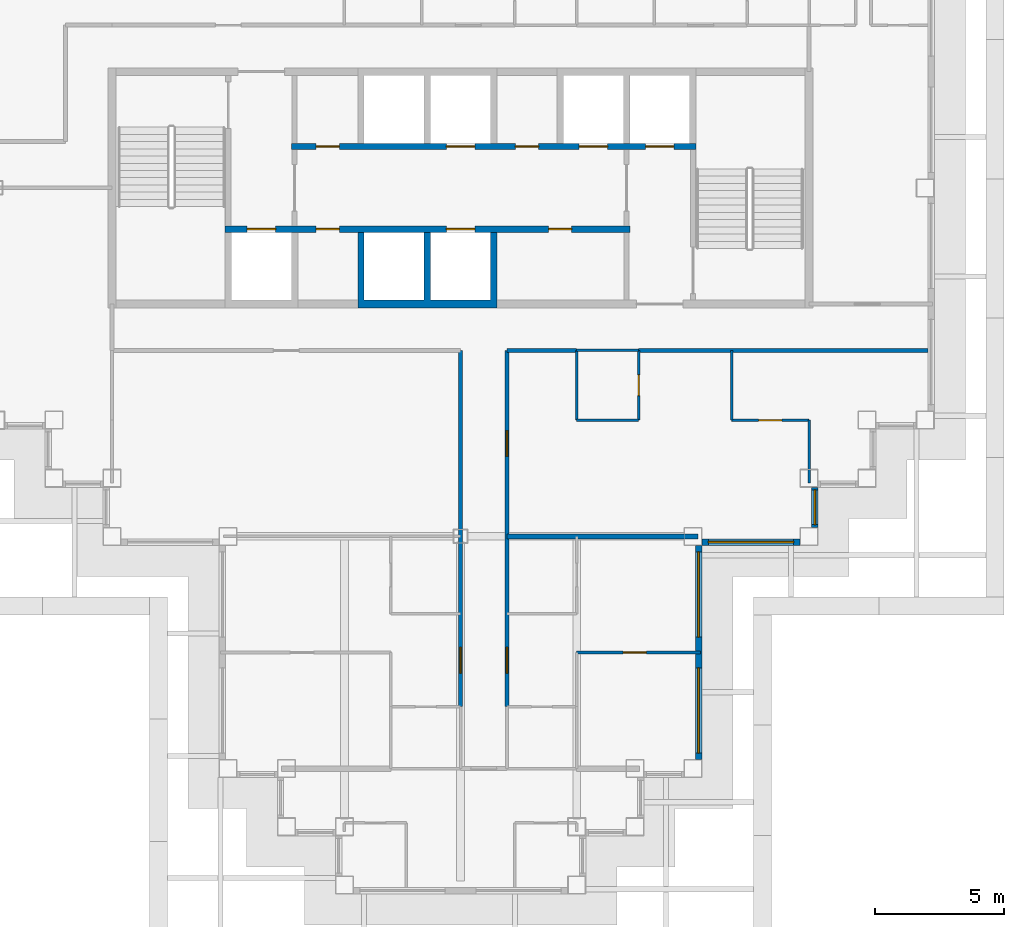
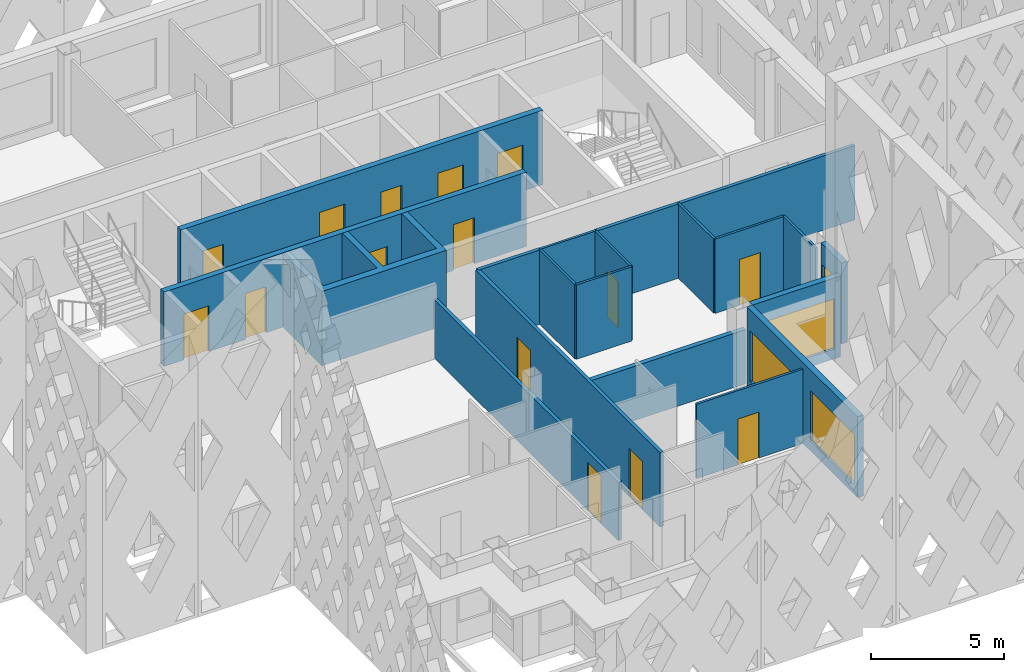
# One storey, part 4 of 17: 19 walls, 15 doors, 4 windows, 19 openings.
"""IFC4 building model written with IfcOpenShell, lengths in metres."""

from ifc_helpers import new_model, si_unit, direction, frame, frame_2d, origin, place, context, subcontext, project, spatial, polyline, rectangle, outline, extrude, material, layer, layer_set, type_object, element, fill, save


model = new_model("IFC4")

# Units and contexts
model_context = context("Model", 3, precision=1e-05, world=origin(), true_north=direction((0.0, 1.0)))
body_context = subcontext(model_context, "Body", "Model", "MODEL_VIEW")
ifc_project = project(units=[si_unit("LENGTHUNIT", "METRE"), si_unit("AREAUNIT", "SQUARE_METRE"), si_unit("VOLUMEUNIT", "CUBIC_METRE"), si_unit("PLANEANGLEUNIT", "RADIAN"), si_unit("MASSUNIT", "GRAM", prefix="KILO")], contexts=[model_context])

# Site, building, storey
site_placement = place(None, origin())
site = spatial("IfcSite", under=ifc_project, at=site_placement, CompositionType="ELEMENT")
building_placement = place(site_placement, origin())
building = spatial("IfcBuilding", under=site, at=building_placement, Name="Caravel Reach Hotel and Residences", CompositionType="ELEMENT")
storey_placement = place(building_placement, frame((0.0, 0.0, 192.39990234375)))
storey = spatial("IfcBuildingStorey", under=building, at=storey_placement, Name="L48", CompositionType="ELEMENT", Elevation=192.39990234375)

# Walls
ifc_material_1 = material(Name="Gypsum board on steel stud", Category="steel")
ifc_layer_1 = layer(ifc_material_1, 0.10009765625)
ifc_layer_set_1 = layer_set([ifc_layer_1], Name="Bathroom pod wall 100 mm")
wall_type_1 = type_object("IfcWallType", Name="Bathroom pod wall 100 mm", PredefinedType="PARTITIONING", material=ifc_layer_set_1)
for number, where, z_axis, x_axis, name in (
    (1, (36.0, 18.0, 0.0), (0.0, 0.0, 1.0), (1.0, 0.0, 0.0), "L48 wall w077"),
    (2, (36.0, 20.699951171875, 0.0), (0.0, 0.0, 1.0), (1.0, 0.0, 0.0), "L48 wall w079"),
):
    element("IfcWall", number, at=place(storey_placement, frame(where, z_axis=z_axis, x_axis=x_axis)), inside=storey, type_object=wall_type_1, Name=name, PredefinedType="PARTITIONING", context=body_context, shape_type="SweptSolid", body=[
        extrude(rectangle(XDim=2.39990234375, YDim=0.10009765625, at=frame_2d((1.199951171875, 0.0))), origin(), (0.0, 0.0, 1.0), 3.400146484375),
    ])
wall_1_placement = place(storey_placement, frame((36.0, 18.0, 0.0), z_axis=(0.0, 0.0, 1.0), x_axis=(0.0, 1.0, 0.0)))
element("IfcWall", 3, at=wall_1_placement, inside=storey, type_object=wall_type_1, Name="L48 wall w101", PredefinedType="PARTITIONING", context=body_context, shape_type="SweptSolid", body=[
    extrude(rectangle(XDim=2.698974609375, YDim=0.10009765625, at=frame_2d((1.349609375, 0.0))), origin(), (0.0, 0.0, 1.0), 3.400146484375),
])

# Wall, opening, door
wall_2_placement = place(storey_placement, frame((38.39990234375, 18.0, 0.0), z_axis=(0.0, 0.0, 1.0), x_axis=(0.0, 1.0, 0.0)))
wall_2 = element("IfcWall", 4, at=wall_2_placement, inside=storey, type_object=wall_type_1, Name="L48 wall w102", PredefinedType="PARTITIONING", context=body_context, shape_type="SweptSolid", body=[
    extrude(rectangle(XDim=2.699951171875, YDim=0.10009765625, at=frame_2d((1.35009765625, 0.0))), origin(), (0.0, 0.0, 1.0), 3.400146484375),
])
opening_1_placement = place(wall_2_placement, frame((0.949951171875, 0.0, 0.0)))
opening_1 = element("IfcOpeningElement", 5, at=opening_1_placement, cuts=wall_2, Name="Opening D48-032", PredefinedType="OPENING", context=body_context, shape_type="SweptSolid", body=[
    extrude(rectangle(XDim=0.800048828125, YDim=2.10009765625, at=frame_2d((0.39990234375, 1.050048828125))), frame((0.0, 0.06005859375, 0.0), z_axis=(0.0, -1.0, 0.0), x_axis=(1.0, 0.0, 0.0)), (0.0, 0.0, 1.0), 0.1201171875),
])
ifc_material_2 = material(Name="Timber and steel door leaf", Category="steel")
door_type_1 = type_object("IfcDoorType", Name="Bathroom door 800 x 2100", OperationType="SINGLE_SWING_LEFT", PredefinedType="DOOR", material=ifc_material_2)
door_1_placement = place(opening_1_placement, origin())
door_1 = element("IfcDoor", 6, at=door_1_placement, inside=storey, type_object=door_type_1, Name="door D48-032", OperationType="SINGLE_SWING_RIGHT", OverallHeight=2.10009765625, OverallWidth=0.800048828125, PredefinedType="DOOR", context=body_context, shape_type="SweptSolid", body=[
    extrude(rectangle(XDim=0.800048828125, YDim=2.10009765625, at=frame_2d((0.39990234375, 1.050048828125))), frame((0.0, 0.02490234375, 0.0), z_axis=(0.0, -1.0, 0.0), x_axis=(1.0, 0.0, 0.0)), (0.0, 0.0, 1.0), 0.050048828125),
])
fill(opening_1, door_1)

# Walls
ifc_material_3 = material(Name="Gypsum board on steel stud, fire-rated", Category="steel")
ifc_layer_2 = layer(ifc_material_3, 0.14990234375)
ifc_layer_set_2 = layer_set([ifc_layer_2], Name="Corridor wall 150 mm EI 60")
wall_type_2 = type_object("IfcWallType", Name="Corridor wall 150 mm EI 60", PredefinedType="PARTITIONING", material=ifc_layer_set_2)
wall_3_placement = place(storey_placement, frame((33.301025390625, 20.699951171875, 0.0), z_axis=(0.0, 0.0, 1.0), x_axis=(1.0, 0.0, 0.0)))
element("IfcWall", 7, at=wall_3_placement, inside=storey, type_object=wall_type_2, Name="L48 wall w001", PredefinedType="PARTITIONING", context=body_context, shape_type="SweptSolid", body=[
    extrude(rectangle(XDim=2.697998046875, YDim=0.14990234375, at=frame_2d((1.34912109375, 0.0))), origin(), (0.0, 0.0, 1.0), 3.400146484375),
])
wall_4_placement = place(storey_placement, frame((38.39990234375, 20.699951171875, 0.0), z_axis=(0.0, 0.0, 1.0), x_axis=(1.0, 0.0, 0.0)))
element("IfcWall", 8, at=wall_4_placement, inside=storey, type_object=wall_type_2, Name="L48 wall w002", PredefinedType="PARTITIONING", context=body_context, shape_type="SweptSolid", body=[
    extrude(rectangle(XDim=11.2001953125, YDim=0.14990234375, at=frame_2d((5.60009765625, 0.0))), origin(), (0.0, 0.0, 1.0), 3.400146484375),
])

# Wall, opening, door
wall_5_placement = place(storey_placement, frame((31.5, 6.89990234375, 0.0), z_axis=(0.0, 0.0, 1.0), x_axis=(0.0, 1.0, 0.0)))
wall_5 = element("IfcWall", 9, at=wall_5_placement, inside=storey, type_object=wall_type_2, Name="L48 wall w020", PredefinedType="PARTITIONING", context=body_context, shape_type="SweptSolid", body=[
    extrude(rectangle(XDim=13.800048828125, YDim=0.14990234375, at=frame_2d((6.89990234375, 0.0))), origin(), (0.0, 0.0, 1.0), 2.68017578125),
])
opening_2_placement = place(wall_5_placement, frame((1.300048828125, 0.0, 0.0)))
opening_2 = element("IfcOpeningElement", 10, at=opening_2_placement, cuts=wall_5, Name="Opening D48-034", PredefinedType="OPENING", context=body_context, shape_type="SweptSolid", body=[
    extrude(rectangle(XDim=1.0, YDim=2.199951171875, at=frame_2d((0.5, 1.10009765625))), frame((0.0, 0.0849609375, 0.0), z_axis=(0.0, -1.0, 0.0), x_axis=(1.0, 0.0, 0.0)), (0.0, 0.0, 1.0), 0.169921875),
])
ifc_material_4 = material(Name="Steel fire door leaf", Category="steel")
door_type_2 = type_object("IfcDoorType", Name="Flat entrance door 1000 x 2200 EI 60", OperationType="SINGLE_SWING_LEFT", PredefinedType="DOOR", material=ifc_material_4)
door_2_placement = place(opening_2_placement, origin())
door_2 = element("IfcDoor", 11, at=door_2_placement, inside=storey, type_object=door_type_2, Name="door D48-034", OperationType="SINGLE_SWING_LEFT", OverallHeight=2.199951171875, OverallWidth=1.0, PredefinedType="DOOR", context=body_context, shape_type="SweptSolid", body=[
    extrude(rectangle(XDim=1.0, YDim=2.199951171875, at=frame_2d((0.5, 1.10009765625))), frame((0.0, 0.02490234375, 0.0), z_axis=(0.0, -1.0, 0.0), x_axis=(1.0, 0.0, 0.0)), (0.0, 0.0, 1.0), 0.050048828125),
])
fill(opening_2, door_2)

# Wall, openings, doors
wall_6_placement = place(storey_placement, frame((33.300048828125, 6.89990234375, 0.0), z_axis=(0.0, 0.0, 1.0), x_axis=(0.0, 1.0, 0.0)))
wall_6 = element("IfcWall", 12, at=wall_6_placement, inside=storey, type_object=wall_type_2, Name="L48 wall w023", PredefinedType="PARTITIONING", context=body_context, shape_type="SweptSolid", body=[
    extrude(rectangle(XDim=13.799072265625, YDim=0.14990234375, at=frame_2d((6.8994140625, 0.0))), origin(), (0.0, 0.0, 1.0), 3.400146484375),
])
opening_3_placement = place(wall_6_placement, frame((9.69921875, 0.0, 0.0)))
opening_3 = element("IfcOpeningElement", 13, at=opening_3_placement, cuts=wall_6, Name="Opening D48-031", PredefinedType="OPENING", context=body_context, shape_type="SweptSolid", body=[
    extrude(rectangle(XDim=1.0, YDim=2.199951171875, at=frame_2d((0.5, 1.10009765625))), frame((0.0, 0.0849609375, 0.0), z_axis=(0.0, -1.0, 0.0), x_axis=(1.0, 0.0, 0.0)), (0.0, 0.0, 1.0), 0.169921875),
])
opening_4_placement = place(wall_6_placement, frame((1.300048828125, 0.0, 0.0)))
opening_4 = element("IfcOpeningElement", 14, at=opening_4_placement, cuts=wall_6, Name="Opening D48-038", PredefinedType="OPENING", context=body_context, shape_type="SweptSolid", body=[
    extrude(rectangle(XDim=1.0, YDim=2.199951171875, at=frame_2d((0.5, 1.10009765625))), frame((0.0, 0.0849609375, 0.0), z_axis=(0.0, -1.0, 0.0), x_axis=(1.0, 0.0, 0.0)), (0.0, 0.0, 1.0), 0.169921875),
])
door_3_placement = place(opening_3_placement, origin())
door_3 = element("IfcDoor", 15, at=door_3_placement, inside=storey, type_object=door_type_2, Name="door D48-031", OperationType="SINGLE_SWING_RIGHT", OverallHeight=2.199951171875, OverallWidth=1.0, PredefinedType="DOOR", context=body_context, shape_type="SweptSolid", body=[
    extrude(rectangle(XDim=1.0, YDim=2.199951171875, at=frame_2d((0.5, 1.10009765625))), frame((0.0, 0.02490234375, 0.0), z_axis=(0.0, -1.0, 0.0), x_axis=(1.0, 0.0, 0.0)), (0.0, 0.0, 1.0), 0.050048828125),
])
fill(opening_3, door_3)
door_4_placement = place(opening_4_placement, origin())
door_4 = element("IfcDoor", 16, at=door_4_placement, inside=storey, type_object=door_type_2, Name="door D48-038", OperationType="SINGLE_SWING_RIGHT", OverallHeight=2.199951171875, OverallWidth=1.0, PredefinedType="DOOR", context=body_context, shape_type="SweptSolid", body=[
    extrude(rectangle(XDim=1.0, YDim=2.199951171875, at=frame_2d((0.5, 1.10009765625))), frame((0.0, 0.02490234375, 0.0), z_axis=(0.0, -1.0, 0.0), x_axis=(1.0, 0.0, 0.0)), (0.0, 0.0, 1.0), 0.050048828125),
])
fill(opening_4, door_4)

# Wall, opening, window
ifc_material_5 = material(Name="Insulated rainscreen wall, aluminium cladding", Category="aluminium")
ifc_layer_3 = layer(ifc_material_5, 0.25)
ifc_layer_set_3 = layer_set([ifc_layer_3], Name="EW1 Tower rainscreen wall")
wall_type_3 = type_object("IfcWallType", Name="EW1 Tower rainscreen wall", PredefinedType="SOLIDWALL", material=ifc_layer_set_3)
wall_7_placement = place(storey_placement, frame((40.85009765625, 13.27490234375, 0.0), z_axis=(0.0, 0.0, 1.0), x_axis=(1.0, 0.0, 0.0)))
wall_7 = element("IfcWall", 17, at=wall_7_placement, inside=storey, type_object=wall_type_3, Name="External wall L48 S1.1", PredefinedType="SOLIDWALL", context=body_context, shape_type="SweptSolid", body=[
    extrude(rectangle(XDim=3.7998046875, YDim=0.25, at=frame_2d((1.89990234375, 0.0))), origin(), (0.0, 0.0, 1.0), 3.7001953125),
])
opening_5_placement = place(wall_7_placement, frame((0.25, 0.0, 0.449951171875)))
opening_5 = element("IfcOpeningElement", 18, at=opening_5_placement, cuts=wall_7, Name="Opening WN15", PredefinedType="OPENING", context=body_context, shape_type="SweptSolid", body=[
    extrude(rectangle(XDim=3.300048828125, YDim=2.300048828125, at=frame_2d((1.64990234375, 1.14990234375))), frame((0.0, 0.135009765625, 0.0), z_axis=(0.0, -1.0, 0.0), x_axis=(1.0, 0.0, 0.0)), (0.0, 0.0, 1.0), 0.27001953125),
])
ifc_material_6 = material(Name="Dark low-e glazing in black aluminium frame", Category="aluminium")
window_type_1 = type_object("IfcWindowType", Name="Residence living window 3300 x 2300", PartitioningType="SINGLE_PANEL", PredefinedType="WINDOW", material=ifc_material_6)
window_1_placement = place(opening_5_placement, origin())
window_1 = element("IfcWindow", 19, at=window_1_placement, inside=storey, type_object=window_type_1, Name="Window L48 S1.1.1", OverallHeight=2.300048828125, OverallWidth=3.300048828125, PartitioningType="SINGLE_PANEL", PredefinedType="WINDOW", context=body_context, shape_type="SweptSolid", body=[
    extrude(rectangle(XDim=3.300048828125, YDim=2.300048828125, at=frame_2d((1.64990234375, 1.14990234375))), frame((0.0, 0.030029296875, 0.0), z_axis=(0.0, -1.0, 0.0), x_axis=(1.0, 0.0, 0.0)), (0.0, 0.0, 1.0), 0.06005859375),
])
fill(opening_5, window_1)

wall_8_placement = place(storey_placement, frame((45.22509765625, 13.85009765625, 0.0), z_axis=(0.0, 0.0, 1.0), x_axis=(0.0, 1.0, 0.0)))
wall_8 = element("IfcWall", 20, at=wall_8_placement, inside=storey, type_object=wall_type_3, Name="External wall L48 E2.1", PredefinedType="SOLIDWALL", context=body_context, shape_type="SweptSolid", body=[
    extrude(rectangle(XDim=1.5498046875, YDim=0.25, at=frame_2d((0.77490234375, 0.0))), origin(), (0.0, 0.0, 1.0), 3.7001953125),
])
opening_6_placement = place(wall_8_placement, frame((0.10009765625, 0.0, 0.89990234375)))
opening_6 = element("IfcOpeningElement", 21, at=opening_6_placement, cuts=wall_8, Name="Opening WN21", PredefinedType="OPENING", context=body_context, shape_type="SweptSolid", body=[
    extrude(rectangle(XDim=1.35009765625, YDim=1.85009765625, at=frame_2d((0.675048828125, 0.925048828125))), frame((0.0, 0.135009765625, 0.0), z_axis=(0.0, -1.0, 0.0), x_axis=(1.0, 0.0, 0.0)), (0.0, 0.0, 1.0), 0.27001953125),
])
ifc_material_7 = material(Name="Dark low-e glazing in black aluminium frame", Category="aluminium")
window_type_2 = type_object("IfcWindowType", Name="Residence bedroom window 1350 x 1850", PartitioningType="SINGLE_PANEL", PredefinedType="WINDOW", material=ifc_material_7)
window_2_placement = place(opening_6_placement, origin())
window_2 = element("IfcWindow", 22, at=window_2_placement, inside=storey, type_object=window_type_2, Name="Window L48 E2.1.1", OverallHeight=1.85009765625, OverallWidth=1.35009765625, PartitioningType="SINGLE_PANEL", PredefinedType="WINDOW", context=body_context, shape_type="SweptSolid", body=[
    extrude(rectangle(XDim=1.35009765625, YDim=1.85009765625, at=frame_2d((0.675048828125, 0.925048828125))), frame((0.0, 0.030029296875, 0.0), z_axis=(0.0, -1.0, 0.0), x_axis=(1.0, 0.0, 0.0)), (0.0, 0.0, 1.0), 0.06005859375),
])
fill(opening_6, window_2)

# Wall, openings, windows
wall_9_placement = place(storey_placement, frame((40.72509765625, 4.85009765625, 0.0), z_axis=(0.0, 0.0, 1.0), x_axis=(0.0, 1.0, 0.0)))
wall_9 = element("IfcWall", 23, at=wall_9_placement, inside=storey, type_object=wall_type_3, Name="External wall L48 E40.1", PredefinedType="SOLIDWALL", context=body_context, shape_type="SweptSolid", body=[
    extrude(rectangle(XDim=8.2998046875, YDim=0.25, at=frame_2d((4.14990234375, 0.0))), origin(), (0.0, 0.0, 1.0), 3.7001953125),
])
opening_7_placement = place(wall_9_placement, frame((0.25, 0.0, 0.449951171875)))
opening_7 = element("IfcOpeningElement", 24, at=opening_7_placement, cuts=wall_9, Name="Opening WN15", PredefinedType="OPENING", context=body_context, shape_type="SweptSolid", body=[
    extrude(rectangle(XDim=3.300048828125, YDim=2.300048828125, at=frame_2d((1.64990234375, 1.14990234375))), frame((0.0, 0.135009765625, 0.0), z_axis=(0.0, -1.0, 0.0), x_axis=(1.0, 0.0, 0.0)), (0.0, 0.0, 1.0), 0.27001953125),
])
opening_8_placement = place(wall_9_placement, frame((4.75, 0.0, 0.449951171875)))
opening_8 = element("IfcOpeningElement", 25, at=opening_8_placement, cuts=wall_9, Name="Opening WN15", PredefinedType="OPENING", context=body_context, shape_type="SweptSolid", body=[
    extrude(rectangle(XDim=3.300048828125, YDim=2.300048828125, at=frame_2d((1.64990234375, 1.14990234375))), frame((0.0, 0.135009765625, 0.0), z_axis=(0.0, -1.0, 0.0), x_axis=(1.0, 0.0, 0.0)), (0.0, 0.0, 1.0), 0.27001953125),
])
window_3_placement = place(opening_7_placement, origin())
window_3 = element("IfcWindow", 26, at=window_3_placement, inside=storey, type_object=window_type_1, Name="Window L48 E40.1.1", OverallHeight=2.300048828125, OverallWidth=3.300048828125, PartitioningType="SINGLE_PANEL", PredefinedType="WINDOW", context=body_context, shape_type="SweptSolid", body=[
    extrude(rectangle(XDim=3.300048828125, YDim=2.300048828125, at=frame_2d((1.64990234375, 1.14990234375))), frame((0.0, 0.030029296875, 0.0), z_axis=(0.0, -1.0, 0.0), x_axis=(1.0, 0.0, 0.0)), (0.0, 0.0, 1.0), 0.06005859375),
])
fill(opening_7, window_3)
window_4_placement = place(opening_8_placement, origin())
window_4 = element("IfcWindow", 27, at=window_4_placement, inside=storey, type_object=window_type_1, Name="Window L48 E40.1.2", OverallHeight=2.300048828125, OverallWidth=3.300048828125, PartitioningType="SINGLE_PANEL", PredefinedType="WINDOW", context=body_context, shape_type="SweptSolid", body=[
    extrude(rectangle(XDim=3.300048828125, YDim=2.300048828125, at=frame_2d((1.64990234375, 1.14990234375))), frame((0.0, 0.030029296875, 0.0), z_axis=(0.0, -1.0, 0.0), x_axis=(1.0, 0.0, 0.0)), (0.0, 0.0, 1.0), 0.06005859375),
])
fill(opening_8, window_4)

# Wall, opening, door
ifc_material_8 = material(Name="Gypsum board on steel stud", Category="steel")
ifc_layer_4 = layer(ifc_material_8, 0.10009765625)
ifc_layer_set_4 = layer_set([ifc_layer_4], Name="Partition 100 mm")
wall_type_4 = type_object("IfcWallType", Name="Partition 100 mm", PredefinedType="PARTITIONING", material=ifc_layer_set_4)
wall_10_placement = place(storey_placement, frame((42.0, 18.0, 0.0), z_axis=(0.0, 0.0, 1.0), x_axis=(1.0, 0.0, 0.0)))
wall_10 = element("IfcWall", 28, at=wall_10_placement, inside=storey, type_object=wall_type_4, Name="L48 wall w032", PredefinedType="PARTITIONING", context=body_context, shape_type="SweptSolid", body=[
    extrude(rectangle(XDim=3.0, YDim=0.10009765625, at=frame_2d((1.5, 0.0))), origin(), (0.0, 0.0, 1.0), 3.400146484375),
])
opening_9_placement = place(wall_10_placement, frame((1.050048828125, 0.0, 0.0)))
opening_9 = element("IfcOpeningElement", 29, at=opening_9_placement, cuts=wall_10, Name="Opening D48-033", PredefinedType="OPENING", context=body_context, shape_type="SweptSolid", body=[
    extrude(rectangle(XDim=0.89990234375, YDim=2.10009765625, at=frame_2d((0.449951171875, 1.050048828125))), frame((0.0, 0.06005859375, 0.0), z_axis=(0.0, -1.0, 0.0), x_axis=(1.0, 0.0, 0.0)), (0.0, 0.0, 1.0), 0.1201171875),
])
ifc_material_9 = material(Name="Timber and steel door leaf", Category="steel")
door_type_3 = type_object("IfcDoorType", Name="Door 900 x 2100 timber", OperationType="SINGLE_SWING_LEFT", PredefinedType="DOOR", material=ifc_material_9)
door_5_placement = place(opening_9_placement, origin())
door_5 = element("IfcDoor", 30, at=door_5_placement, inside=storey, type_object=door_type_3, Name="door D48-033", OperationType="SINGLE_SWING_LEFT", OverallHeight=2.10009765625, OverallWidth=0.89990234375, PredefinedType="DOOR", context=body_context, shape_type="SweptSolid", body=[
    extrude(rectangle(XDim=0.89990234375, YDim=2.10009765625, at=frame_2d((0.449951171875, 1.050048828125))), frame((0.0, 0.02490234375, 0.0), z_axis=(0.0, -1.0, 0.0), x_axis=(1.0, 0.0, 0.0)), (0.0, 0.0, 1.0), 0.050048828125),
])
fill(opening_9, door_5)

wall_11_placement = place(storey_placement, frame((36.0, 9.0, 0.0), z_axis=(0.0, 0.0, 1.0), x_axis=(1.0, 0.0, 0.0)))
wall_11 = element("IfcWall", 31, at=wall_11_placement, inside=storey, type_object=wall_type_4, Name="L48 wall w045", PredefinedType="PARTITIONING", context=body_context, shape_type="SweptSolid", body=[
    extrude(rectangle(XDim=4.7900390625, YDim=0.10009765625, at=frame_2d((2.39501953125, 0.0))), origin(), (0.0, 0.0, 1.0), 3.400146484375),
])
opening_10_placement = place(wall_11_placement, frame((1.800048828125, 0.0, 0.0)))
opening_10 = element("IfcOpeningElement", 32, at=opening_10_placement, cuts=wall_11, Name="Opening D48-041", PredefinedType="OPENING", context=body_context, shape_type="SweptSolid", body=[
    extrude(rectangle(XDim=0.89990234375, YDim=2.10009765625, at=frame_2d((0.449951171875, 1.050048828125))), frame((0.0, 0.06005859375, 0.0), z_axis=(0.0, -1.0, 0.0), x_axis=(1.0, 0.0, 0.0)), (0.0, 0.0, 1.0), 0.1201171875),
])
door_6_placement = place(opening_10_placement, origin())
door_6 = element("IfcDoor", 33, at=door_6_placement, inside=storey, type_object=door_type_3, Name="door D48-041", OperationType="SINGLE_SWING_LEFT", OverallHeight=2.10009765625, OverallWidth=0.89990234375, PredefinedType="DOOR", context=body_context, shape_type="SweptSolid", body=[
    extrude(rectangle(XDim=0.89990234375, YDim=2.10009765625, at=frame_2d((0.449951171875, 1.050048828125))), frame((0.0, 0.02490234375, 0.0), z_axis=(0.0, -1.0, 0.0), x_axis=(1.0, 0.0, 0.0)), (0.0, 0.0, 1.0), 0.050048828125),
])
fill(opening_10, door_6)

# Walls
wall_12_placement = place(storey_placement, frame((42.0, 18.0, 0.0), z_axis=(0.0, 0.0, 1.0), x_axis=(0.0, 1.0, 0.0)))
element("IfcWall", 34, at=wall_12_placement, inside=storey, type_object=wall_type_4, Name="L48 wall w066", PredefinedType="PARTITIONING", context=body_context, shape_type="SweptSolid", body=[
    extrude(rectangle(XDim=2.699951171875, YDim=0.10009765625, at=frame_2d((1.35009765625, 0.0))), origin(), (0.0, 0.0, 1.0), 3.400146484375),
])
wall_13_placement = place(storey_placement, frame((45.0, 15.56005859375, 0.0), z_axis=(0.0, 0.0, 1.0), x_axis=(0.0, 1.0, 0.0)))
element("IfcWall", 35, at=wall_13_placement, inside=storey, type_object=wall_type_4, Name="L48 wall w067", PredefinedType="PARTITIONING", context=body_context, shape_type="SweptSolid", body=[
    extrude(rectangle(XDim=2.43994140625, YDim=0.10009765625, at=frame_2d((1.219970703125, 0.0))), origin(), (0.0, 0.0, 1.0), 3.400146484375),
])
ifc_material_10 = material(Name="Autoclaved aerated block wall")
ifc_layer_5 = layer(ifc_material_10, 0.199951171875)
ifc_layer_set_5 = layer_set([ifc_layer_5], Name="Party wall 200 mm EI 60")
wall_type_5 = type_object("IfcWallType", Name="Party wall 200 mm EI 60", PredefinedType="PARTITIONING", material=ifc_layer_set_5)
wall_14_placement = place(storey_placement, frame((33.301025390625, 13.5, 0.0), z_axis=(0.0, 0.0, 1.0), x_axis=(1.0, 0.0, 0.0)))
element("IfcWall", 36, at=wall_14_placement, inside=storey, type_object=wall_type_5, Name="L48 wall w071", PredefinedType="PARTITIONING", context=body_context, shape_type="SweptSolid", body=[
    extrude(rectangle(XDim=7.388916015625, YDim=0.199951171875, at=frame_2d((3.6943359375, 0.0))), origin(), (0.0, 0.0, 1.0), 2.47998046875),
])
ifc_material_11 = material(Name="Concrete C60", Category="concrete")
ifc_layer_6 = layer(ifc_material_11, 0.25)
ifc_layer_set_6 = layer_set([ifc_layer_6], Name="Shaft wall 250 mm EI 120")
wall_type_6 = type_object("IfcWallType", Name="Shaft wall 250 mm EI 120", PredefinedType="SHEAR", material=ifc_layer_set_6)
wall_15_placement = place(storey_placement, origin())
element("IfcWall", 37, at=wall_15_placement, inside=storey, type_object=wall_type_6, Name="L48 lift shaft wall S2", PredefinedType="SHEAR", context=body_context, shape_type="SweptSolid", body=[
    extrude(outline(polyline([(27.517822265625, 22.35009765625), (32.91064453125, 22.35009765625), (32.91064453125, 25.27490234375), (32.66064453125, 25.27490234375), (32.66064453125, 22.64990234375), (30.33935546875, 22.64990234375), (30.33935546875, 25.27490234375), (30.08935546875, 25.27490234375), (30.08935546875, 22.64990234375), (27.767822265625, 22.64990234375), (27.767822265625, 25.27490234375), (27.517822265625, 25.27490234375), (27.517822265625, 22.35009765625)])), origin(), (0.0, 0.0, 1.0), 3.400146484375),
])

# Wall, openings, doors
wall_16_placement = place(storey_placement, frame((22.375, 25.39990234375, 0.0), z_axis=(0.0, 0.0, 1.0), x_axis=(1.0, 0.0, 0.0)))
wall_16 = element("IfcWall", 38, at=wall_16_placement, inside=storey, type_object=wall_type_6, Name="L48 lobby wall S1", PredefinedType="SHEAR", context=body_context, shape_type="SweptSolid", body=[
    extrude(rectangle(XDim=15.678466796875, YDim=0.25, at=frame_2d((7.83935546875, 0.0))), origin(), (0.0, 0.0, 1.0), 3.400146484375),
])
opening_11_placement = place(wall_16_placement, frame((8.574951171875, 0.0, 0.0)))
opening_11 = element("IfcOpeningElement", 39, at=opening_11_placement, cuts=wall_16, Name="Opening D48-001", PredefinedType="OPENING", context=body_context, shape_type="SweptSolid", body=[
    extrude(rectangle(XDim=1.10009765625, YDim=2.10009765625, at=frame_2d((0.550048828125, 1.050048828125))), frame((0.0, 0.135009765625, 0.0), z_axis=(0.0, -1.0, 0.0), x_axis=(1.0, 0.0, 0.0)), (0.0, 0.0, 1.0), 0.27001953125),
])
opening_12_placement = place(wall_16_placement, frame((0.860595703125, 0.0, 0.0)))
opening_12 = element("IfcOpeningElement", 40, at=opening_12_placement, cuts=wall_16, Name="Opening D48-004", PredefinedType="OPENING", context=body_context, shape_type="SweptSolid", body=[
    extrude(rectangle(XDim=1.10009765625, YDim=2.10009765625, at=frame_2d((0.550048828125, 1.050048828125))), frame((0.0, 0.135009765625, 0.0), z_axis=(0.0, -1.0, 0.0), x_axis=(1.0, 0.0, 0.0)), (0.0, 0.0, 1.0), 0.27001953125),
])
opening_13_placement = place(wall_16_placement, frame((3.531982421875, 0.0, 0.0)))
opening_13 = element("IfcOpeningElement", 41, at=opening_13_placement, cuts=wall_16, Name="Opening D48-006", PredefinedType="OPENING", context=body_context, shape_type="SweptSolid", body=[
    extrude(rectangle(XDim=0.89990234375, YDim=2.10009765625, at=frame_2d((0.449951171875, 1.050048828125))), frame((0.0, 0.135009765625, 0.0), z_axis=(0.0, -1.0, 0.0), x_axis=(1.0, 0.0, 0.0)), (0.0, 0.0, 1.0), 0.27001953125),
])
opening_14_placement = place(wall_16_placement, frame((12.531982421875, 0.0, 0.0)))
opening_14 = element("IfcOpeningElement", 42, at=opening_14_placement, cuts=wall_16, Name="Opening D48-007", PredefinedType="OPENING", context=body_context, shape_type="SweptSolid", body=[
    extrude(rectangle(XDim=0.89990234375, YDim=2.10009765625, at=frame_2d((0.449951171875, 1.050048828125))), frame((0.0, 0.135009765625, 0.0), z_axis=(0.0, -1.0, 0.0), x_axis=(1.0, 0.0, 0.0)), (0.0, 0.0, 1.0), 0.27001953125),
])
ifc_material_12 = material(Name="Stainless steel landing door", Category="steel")
door_type_4 = type_object("IfcDoorType", Name="Landing door LD 1100 x 2100 sliding", OperationType="DOUBLE_DOOR_SLIDING", PredefinedType="DOOR", material=ifc_material_12)
door_7_placement = place(opening_11_placement, origin())
door_7 = element("IfcDoor", 43, at=door_7_placement, inside=storey, type_object=door_type_4, Name="MP1 landing door", OperationType="DOUBLE_DOOR_SLIDING", OverallHeight=2.10009765625, OverallWidth=1.10009765625, PredefinedType="DOOR", context=body_context, shape_type="SweptSolid", body=[
    extrude(rectangle(XDim=1.10009765625, YDim=2.10009765625, at=frame_2d((0.550048828125, 1.050048828125))), frame((0.0, 0.02490234375, 0.0), z_axis=(0.0, -1.0, 0.0), x_axis=(1.0, 0.0, 0.0)), (0.0, 0.0, 1.0), 0.050048828125),
])
fill(opening_11, door_7)
door_8_placement = place(opening_12_placement, origin())
door_8 = element("IfcDoor", 44, at=door_8_placement, inside=storey, type_object=door_type_4, Name="FL1 landing door", OperationType="DOUBLE_DOOR_SLIDING", OverallHeight=2.10009765625, OverallWidth=1.10009765625, PredefinedType="DOOR", context=body_context, shape_type="SweptSolid", body=[
    extrude(rectangle(XDim=1.10009765625, YDim=2.10009765625, at=frame_2d((0.550048828125, 1.050048828125))), frame((0.0, 0.02490234375, 0.0), z_axis=(0.0, -1.0, 0.0), x_axis=(1.0, 0.0, 0.0)), (0.0, 0.0, 1.0), 0.050048828125),
])
fill(opening_12, door_8)
ifc_material_13 = material(Name="Steel fire door leaf", Category="steel")
door_type_5 = type_object("IfcDoorType", Name="Riser door 900 x 2100 EI 60", OperationType="SINGLE_SWING_LEFT", PredefinedType="DOOR", material=ifc_material_13)
door_9_placement = place(opening_13_placement, origin())
door_9 = element("IfcDoor", 45, at=door_9_placement, inside=storey, type_object=door_type_5, Name="Mail store door", OperationType="SINGLE_SWING_LEFT", OverallHeight=2.10009765625, OverallWidth=0.89990234375, PredefinedType="DOOR", context=body_context, shape_type="SweptSolid", body=[
    extrude(rectangle(XDim=0.89990234375, YDim=2.10009765625, at=frame_2d((0.449951171875, 1.050048828125))), frame((0.0, 0.02490234375, 0.0), z_axis=(0.0, -1.0, 0.0), x_axis=(1.0, 0.0, 0.0)), (0.0, 0.0, 1.0), 0.050048828125),
])
fill(opening_13, door_9)
door_10_placement = place(opening_14_placement, origin())
door_10 = element("IfcDoor", 46, at=door_10_placement, inside=storey, type_object=door_type_5, Name="Package store door", OperationType="SINGLE_SWING_LEFT", OverallHeight=2.10009765625, OverallWidth=0.89990234375, PredefinedType="DOOR", context=body_context, shape_type="SweptSolid", body=[
    extrude(rectangle(XDim=0.89990234375, YDim=2.10009765625, at=frame_2d((0.449951171875, 1.050048828125))), frame((0.0, 0.02490234375, 0.0), z_axis=(0.0, -1.0, 0.0), x_axis=(1.0, 0.0, 0.0)), (0.0, 0.0, 1.0), 0.050048828125),
])
fill(opening_14, door_10)

wall_17_placement = place(storey_placement, frame((24.946533203125, 28.60009765625, 0.0), z_axis=(0.0, 0.0, 1.0), x_axis=(1.0, 0.0, 0.0)))
wall_17 = element("IfcWall", 47, at=wall_17_placement, inside=storey, type_object=wall_type_6, Name="L48 lobby wall N1", PredefinedType="SHEAR", context=body_context, shape_type="SweptSolid", body=[
    extrude(rectangle(XDim=15.678466796875, YDim=0.25, at=frame_2d((7.83935546875, 0.0))), origin(), (0.0, 0.0, 1.0), 3.400146484375),
])
opening_15_placement = place(wall_17_placement, frame((6.003662109375, 0.0, 0.0)))
opening_15 = element("IfcOpeningElement", 48, at=opening_15_placement, cuts=wall_17, Name="Opening D48-002", PredefinedType="OPENING", context=body_context, shape_type="SweptSolid", body=[
    extrude(rectangle(XDim=1.10009765625, YDim=2.10009765625, at=frame_2d((0.550048828125, 1.050048828125))), frame((0.0, 0.135009765625, 0.0), z_axis=(0.0, -1.0, 0.0), x_axis=(1.0, 0.0, 0.0)), (0.0, 0.0, 1.0), 0.27001953125),
])
opening_16_placement = place(wall_17_placement, frame((11.146484375, 0.0, 0.0)))
opening_16 = element("IfcOpeningElement", 49, at=opening_16_placement, cuts=wall_17, Name="Opening D48-003", PredefinedType="OPENING", context=body_context, shape_type="SweptSolid", body=[
    extrude(rectangle(XDim=1.10009765625, YDim=2.10009765625, at=frame_2d((0.550048828125, 1.050048828125))), frame((0.0, 0.135009765625, 0.0), z_axis=(0.0, -1.0, 0.0), x_axis=(1.0, 0.0, 0.0)), (0.0, 0.0, 1.0), 0.27001953125),
])
opening_17_placement = place(wall_17_placement, frame((13.718017578125, 0.0, 0.0)))
opening_17 = element("IfcOpeningElement", 50, at=opening_17_placement, cuts=wall_17, Name="Opening D48-005", PredefinedType="OPENING", context=body_context, shape_type="SweptSolid", body=[
    extrude(rectangle(XDim=1.10009765625, YDim=2.10009765625, at=frame_2d((0.550048828125, 1.050048828125))), frame((0.0, 0.135009765625, 0.0), z_axis=(0.0, -1.0, 0.0), x_axis=(1.0, 0.0, 0.0)), (0.0, 0.0, 1.0), 0.27001953125),
])
opening_18_placement = place(wall_17_placement, frame((0.960693359375, 0.0, 0.0)))
opening_18 = element("IfcOpeningElement", 51, at=opening_18_placement, cuts=wall_17, Name="Opening D48-008", PredefinedType="OPENING", context=body_context, shape_type="SweptSolid", body=[
    extrude(rectangle(XDim=0.89990234375, YDim=2.10009765625, at=frame_2d((0.449951171875, 1.050048828125))), frame((0.0, 0.135009765625, 0.0), z_axis=(0.0, -1.0, 0.0), x_axis=(1.0, 0.0, 0.0)), (0.0, 0.0, 1.0), 0.27001953125),
])
opening_19_placement = place(wall_17_placement, frame((8.675048828125, 0.0, 0.0)))
opening_19 = element("IfcOpeningElement", 52, at=opening_19_placement, cuts=wall_17, Name="Opening D48-009", PredefinedType="OPENING", context=body_context, shape_type="SweptSolid", body=[
    extrude(rectangle(XDim=0.89990234375, YDim=2.10009765625, at=frame_2d((0.449951171875, 1.050048828125))), frame((0.0, 0.135009765625, 0.0), z_axis=(0.0, -1.0, 0.0), x_axis=(1.0, 0.0, 0.0)), (0.0, 0.0, 1.0), 0.27001953125),
])
door_11_placement = place(opening_15_placement, origin())
door_11 = element("IfcDoor", 53, at=door_11_placement, inside=storey, type_object=door_type_4, Name="MP2 landing door", OperationType="DOUBLE_DOOR_SLIDING", OverallHeight=2.10009765625, OverallWidth=1.10009765625, PredefinedType="DOOR", context=body_context, shape_type="SweptSolid", body=[
    extrude(rectangle(XDim=1.10009765625, YDim=2.10009765625, at=frame_2d((0.550048828125, 1.050048828125))), frame((0.0, 0.02490234375, 0.0), z_axis=(0.0, -1.0, 0.0), x_axis=(1.0, 0.0, 0.0)), (0.0, 0.0, 1.0), 0.050048828125),
])
fill(opening_15, door_11)
door_12_placement = place(opening_16_placement, origin())
door_12 = element("IfcDoor", 54, at=door_12_placement, inside=storey, type_object=door_type_4, Name="MP3 landing door", OperationType="DOUBLE_DOOR_SLIDING", OverallHeight=2.10009765625, OverallWidth=1.10009765625, PredefinedType="DOOR", context=body_context, shape_type="SweptSolid", body=[
    extrude(rectangle(XDim=1.10009765625, YDim=2.10009765625, at=frame_2d((0.550048828125, 1.050048828125))), frame((0.0, 0.02490234375, 0.0), z_axis=(0.0, -1.0, 0.0), x_axis=(1.0, 0.0, 0.0)), (0.0, 0.0, 1.0), 0.050048828125),
])
fill(opening_16, door_12)
door_13_placement = place(opening_17_placement, origin())
door_13 = element("IfcDoor", 55, at=door_13_placement, inside=storey, type_object=door_type_4, Name="FL2 landing door", OperationType="DOUBLE_DOOR_SLIDING", OverallHeight=2.10009765625, OverallWidth=1.10009765625, PredefinedType="DOOR", context=body_context, shape_type="SweptSolid", body=[
    extrude(rectangle(XDim=1.10009765625, YDim=2.10009765625, at=frame_2d((0.550048828125, 1.050048828125))), frame((0.0, 0.02490234375, 0.0), z_axis=(0.0, -1.0, 0.0), x_axis=(1.0, 0.0, 0.0)), (0.0, 0.0, 1.0), 0.050048828125),
])
fill(opening_17, door_13)
door_14_placement = place(opening_18_placement, origin())
door_14 = element("IfcDoor", 56, at=door_14_placement, inside=storey, type_object=door_type_5, Name="Residents' store door", OperationType="SINGLE_SWING_LEFT", OverallHeight=2.10009765625, OverallWidth=0.89990234375, PredefinedType="DOOR", context=body_context, shape_type="SweptSolid", body=[
    extrude(rectangle(XDim=0.89990234375, YDim=2.10009765625, at=frame_2d((0.449951171875, 1.050048828125))), frame((0.0, 0.02490234375, 0.0), z_axis=(0.0, -1.0, 0.0), x_axis=(1.0, 0.0, 0.0)), (0.0, 0.0, 1.0), 0.050048828125),
])
fill(opening_18, door_14)
door_15_placement = place(opening_19_placement, origin())
door_15 = element("IfcDoor", 57, at=door_15_placement, inside=storey, type_object=door_type_5, Name="Linen store door", OperationType="SINGLE_SWING_LEFT", OverallHeight=2.10009765625, OverallWidth=0.89990234375, PredefinedType="DOOR", context=body_context, shape_type="SweptSolid", body=[
    extrude(rectangle(XDim=0.89990234375, YDim=2.10009765625, at=frame_2d((0.449951171875, 1.050048828125))), frame((0.0, 0.02490234375, 0.0), z_axis=(0.0, -1.0, 0.0), x_axis=(1.0, 0.0, 0.0)), (0.0, 0.0, 1.0), 0.050048828125),
])
fill(opening_19, door_15)

save(model, "model.ifc")
